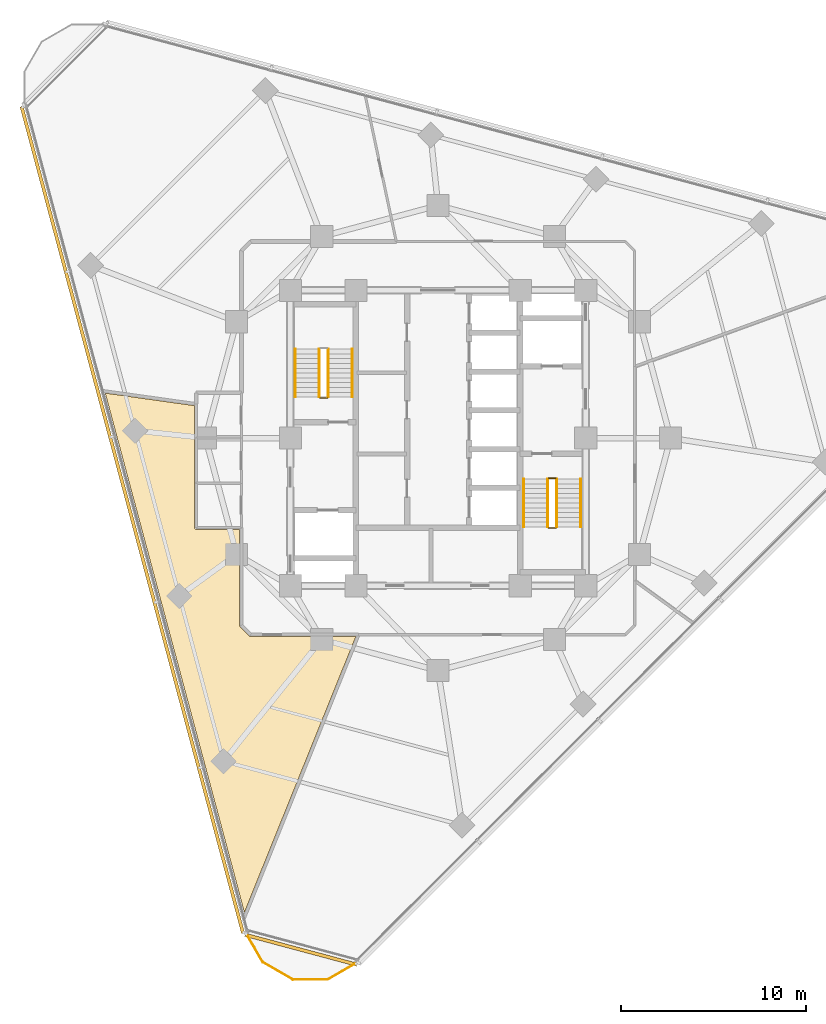
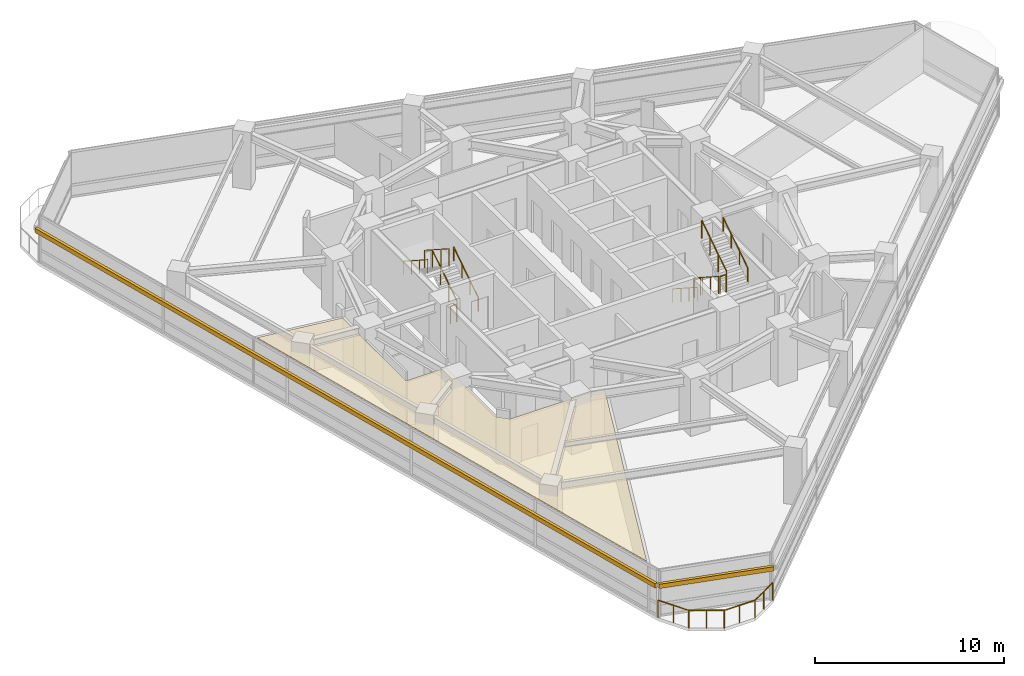
# One storey, part 11 of 13: 12 railings, 2 shading devices, 1 covering.
"""IFC4 building model written with IfcOpenShell, lengths in metres."""

from ifc_helpers import new_model, si_unit, direction, frame, origin, origin_2d, place, context, subcontext, project, spatial, polyline, rectangle, circle, outline, extrude, material, layer, layer_set, type_object, element, save


model = new_model("IFC4")

# Units and contexts
model_context = context("Model", 3, precision=1e-05, world=origin(), true_north=direction((0.0, 1.0)))
body_context = subcontext(model_context, "Body", "Model", "MODEL_VIEW")
ifc_project = project(units=[si_unit("LENGTHUNIT", "METRE"), si_unit("AREAUNIT", "SQUARE_METRE"), si_unit("VOLUMEUNIT", "CUBIC_METRE"), si_unit("PLANEANGLEUNIT", "RADIAN"), si_unit("MASSUNIT", "GRAM", prefix="KILO")], contexts=[model_context])

# Site, building, storey
site_placement = place(None, origin())
site = spatial("IfcSite", under=ifc_project, at=site_placement, CompositionType="ELEMENT")
building_placement = place(site_placement, origin())
building = spatial("IfcBuilding", under=site, at=building_placement, Name="Terralouvre Media Tower", CompositionType="ELEMENT")
storey_placement = place(building_placement, frame((0.0, 0.0, 195.300048828125)))
storey = spatial("IfcBuildingStorey", under=building, at=storey_placement, Name="L50", CompositionType="ELEMENT", Elevation=195.300048828125)

# Covering
ifc_material_1 = material(Name="Perforated aluminium acoustic ceiling baffle", Category="aluminium")
ifc_layer_1 = layer(ifc_material_1, 0.0400390625, Name="Perforated Acoustic Metal Tile Ceiling CL-AC1")
ifc_layer_set_1 = layer_set([ifc_layer_1], Name="Perforated aluminium acoustic ceiling baffle")
covering_type = type_object("IfcCoveringType", Name="Perforated Acoustic Metal Tile Ceiling CL-AC1", PredefinedType="CEILING", material=ifc_layer_set_1)
covering_placement = place(storey_placement, frame((0.0, 0.0, 2.97998046875), z_axis=(0.0, 0.0, 1.0), x_axis=(0.707106781187, 0.707106781187, 0.0)))
element("IfcCovering", 1, at=covering_placement, inside=storey, type_object=covering_type, Name="L50 Simultaneous Translation Control Room 1 Acoustic Ceiling", PredefinedType="CEILING", context=body_context, shape_type="SweptSolid", body=[
    extrude(outline(polyline([(-14.778564453125, -0.42431640625), (-14.78515625, -0.4169921875), (-14.791015625, -0.4091796875), (-14.7958984375, -0.400634765625), (-14.80029296875, -0.391845703125), (-14.803466796875, -0.382568359375), (-14.805908203125, -0.373046875), (-14.807373046875, -0.36328125), (-14.807861328125, -0.353515625), (-14.807861328125, 0.353515625), (-14.807373046875, 0.36328125), (-14.805908203125, 0.373046875), (-14.803466796875, 0.382568359375), (-14.80029296875, 0.391845703125), (-14.7958984375, 0.400634765625), (-14.791015625, 0.4091796875), (-14.78515625, 0.4169921875), (-14.778564453125, 0.42431640625), (-11.1015625, 4.101318359375), (-12.76318359375, 5.762939453125), (-12.769775390625, 5.770263671875), (-12.775634765625, 5.778076171875), (-12.78076171875, 5.786376953125), (-12.784912109375, 5.79541015625), (-12.788330078125, 5.8046875), (-12.79052734375, 5.814208984375), (-12.7919921875, 5.82373046875), (-12.79248046875, 5.833740234375), (-12.7919921875, 5.843505859375), (-12.79052734375, 5.85302734375), (-12.788330078125, 5.86279296875), (-12.784912109375, 5.871826171875), (-12.78076171875, 5.880859375), (-12.775634765625, 5.88916015625), (-12.769775390625, 5.89697265625), (-12.76318359375, 5.904296875), (-8.093505859375, 10.57421875), (-11.02685546875, 14.467529296875), (-25.58740234375, -10.752685546875), (-10.7490234375, -4.453857421875), (-14.778564453125, -0.42431640625)])), origin(), (0.0, 0.0, 1.0), 0.0400390625),
])

# Railings
ifc_material_2 = material(Name="Stainless steel 316 handrail and balustrade", Category="steel")
ifc_layer_2 = layer(ifc_material_2, 0.06005859375, Name="Roof Edge Safety Guardrail GR-ROOF1")
ifc_layer_set_2 = layer_set([ifc_layer_2], Name="Stainless steel 316 handrail and balustrade")
railing_type_1 = type_object("IfcRailingType", Name="Roof Edge Safety Guardrail GR-ROOF1", PredefinedType="GUARDRAIL", material=ifc_layer_set_2)
railing_1_placement = place(storey_placement, frame((-10.418701171875, -26.77685546875, 0.0)))
element("IfcRailing", 2, at=railing_1_placement, inside=storey, type_object=railing_type_1, Name="L50 Wind-Corner Perimeter Safety Guardrail C0", PredefinedType="GUARDRAIL", context=body_context, shape_type="SweptSolid", body=[
    extrude(circle(Radius=0.02099609375, at=origin_2d()), frame((0.0, 0.0, 1.12890625), z_axis=(0.499797667116, -0.866142189219, 0.0), x_axis=(0.866142189219, 0.499797667116, 0.0)), (0.0, 0.0, 1.0), 1.873291015625),
    extrude(circle(Radius=0.02099609375, at=origin_2d()), frame((0.936279296875, -1.62255859375, 1.12890625), z_axis=(0.86593156901, -0.500162491388, 0.0), x_axis=(0.500162491388, 0.86593156901, 0.0)), (0.0, 0.0, 1.0), 1.873046875),
    extrude(circle(Radius=0.02099609375, at=origin_2d()), frame((2.55810546875, -2.559326171875, 1.12890625), z_axis=(0.999999991505, 0.000130344107, 0.0), x_axis=(-0.000130344107, 0.999999991505, 0.0)), (0.0, 0.0, 1.0), 1.873046875),
    extrude(circle(Radius=0.02099609375, at=origin_2d()), frame((4.43115234375, -2.55908203125, 1.12890625), z_axis=(0.86590772507, 0.500203770141, 0.0), x_axis=(-0.500203770141, 0.86590772507, 0.0)), (0.0, 0.0, 1.0), 1.873291015625),
    extrude(circle(Radius=0.01904296875, at=origin_2d()), origin(), (0.0, 0.0, 1.0), 1.10791015625),
    extrude(circle(Radius=0.01904296875, at=origin_2d()), frame((0.46826171875, -0.811279296875, 0.0)), (0.0, 0.0, 1.0), 1.10791015625),
    extrude(circle(Radius=0.01904296875, at=origin_2d()), frame((0.936279296875, -1.62255859375, 0.0)), (0.0, 0.0, 1.0), 1.10791015625),
    extrude(circle(Radius=0.01904296875, at=origin_2d()), frame((1.7470703125, -2.0908203125, 0.0)), (0.0, 0.0, 1.0), 1.10791015625),
    extrude(circle(Radius=0.01904296875, at=origin_2d()), frame((2.55810546875, -2.559326171875, 0.0)), (0.0, 0.0, 1.0), 1.10791015625),
    extrude(circle(Radius=0.01904296875, at=origin_2d()), frame((3.49462890625, -2.55908203125, 0.0)), (0.0, 0.0, 1.0), 1.10791015625),
    extrude(circle(Radius=0.01904296875, at=origin_2d()), frame((4.43115234375, -2.55908203125, 0.0)), (0.0, 0.0, 1.0), 1.10791015625),
    extrude(circle(Radius=0.01904296875, at=origin_2d()), frame((5.2421875, -2.090576171875, 0.0)), (0.0, 0.0, 1.0), 1.10791015625),
    extrude(circle(Radius=0.01904296875, at=origin_2d()), frame((6.05322265625, -1.6220703125, 0.0)), (0.0, 0.0, 1.0), 1.10791015625),
])
ifc_material_3 = material(Name="Stainless steel 316 handrail and balustrade", Category="steel")
ifc_layer_3 = layer(ifc_material_3, 0.050048828125, Name="Stair Flight Wall Handrail HR-INT1")
ifc_layer_set_3 = layer_set([ifc_layer_3], Name="Stainless steel 316 handrail and balustrade")
railing_type_2 = type_object("IfcRailingType", Name="Stair Flight Wall Handrail HR-INT1", PredefinedType="HANDRAIL", material=ifc_layer_set_3)
railing_2_placement = place(storey_placement, frame((-4.64990234375, 2.219970703125, 0.168212890625)))
element("IfcRailing", 3, at=railing_2_placement, inside=storey, type_object=railing_type_2, Name="L50 ST-01 stair handrail 1", PredefinedType="HANDRAIL", context=body_context, shape_type="SweptSolid", body=[
    extrude(circle(Radius=0.02392578125, at=origin_2d()), frame((0.0, 0.0, 0.8759765625), z_axis=(0.0, 0.839684365666, 0.543074733399), x_axis=(-1.0, 0.0, 0.0)), (0.0, 0.0, 1.0), 3.096435546875),
    extrude(circle(Radius=0.02099609375, at=origin_2d()), origin(), (0.0, 0.0, 1.0), 0.851806640625),
    extrude(circle(Radius=0.02099609375, at=origin_2d()), frame((0.0, 0.86669921875, 0.560546875)), (0.0, 0.0, 1.0), 0.851806640625),
    extrude(circle(Radius=0.02099609375, at=origin_2d()), frame((0.0, 1.7333984375, 1.12109375)), (0.0, 0.0, 1.0), 0.851806640625),
    extrude(circle(Radius=0.02099609375, at=origin_2d()), frame((0.0, 2.60009765625, 1.681640625)), (0.0, 0.0, 1.0), 0.851806640625),
])
railing_3_placement = place(storey_placement, frame((-7.72998046875, 4.820068359375, 2.01806640625)))
element("IfcRailing", 4, at=railing_3_placement, inside=storey, type_object=railing_type_2, Name="L50 ST-01 stair handrail 2", PredefinedType="HANDRAIL", context=body_context, shape_type="SweptSolid", body=[
    extrude(circle(Radius=0.02392578125, at=origin_2d()), frame((0.0, 0.0, 0.8759765625), z_axis=(0.0, -0.839648411786, 0.543130320075), x_axis=(1.0, 0.0, 0.0)), (0.0, 0.0, 1.0), 3.0966796875),
    extrude(circle(Radius=0.02099609375, at=origin_2d()), origin(), (0.0, 0.0, 1.0), 0.851806640625),
    extrude(circle(Radius=0.02099609375, at=origin_2d()), frame((0.0, -0.86669921875, 0.560546875)), (0.0, 0.0, 1.0), 0.851806640625),
    extrude(circle(Radius=0.02099609375, at=origin_2d()), frame((0.0, -1.7333984375, 1.121337890625)), (0.0, 0.0, 1.0), 0.851806640625),
    extrude(circle(Radius=0.02099609375, at=origin_2d()), frame((0.0, -2.60009765625, 1.681884765625)), (0.0, 0.0, 1.0), 0.851806640625),
])
railing_4_placement = place(storey_placement, frame((4.64990234375, -2.219970703125, 0.168212890625)))
element("IfcRailing", 5, at=railing_4_placement, inside=storey, type_object=railing_type_2, Name="L50 ST-02 stair handrail 1", PredefinedType="HANDRAIL", context=body_context, shape_type="SweptSolid", body=[
    extrude(circle(Radius=0.02392578125, at=origin_2d()), frame((0.0, 0.0, 0.8759765625), z_axis=(0.0, -0.839684365666, 0.543074733399), x_axis=(1.0, 0.0, 0.0)), (0.0, 0.0, 1.0), 3.096435546875),
    extrude(circle(Radius=0.02099609375, at=origin_2d()), origin(), (0.0, 0.0, 1.0), 0.851806640625),
    extrude(circle(Radius=0.02099609375, at=origin_2d()), frame((0.0, -0.86669921875, 0.560546875)), (0.0, 0.0, 1.0), 0.851806640625),
    extrude(circle(Radius=0.02099609375, at=origin_2d()), frame((0.0, -1.7333984375, 1.12109375)), (0.0, 0.0, 1.0), 0.851806640625),
    extrude(circle(Radius=0.02099609375, at=origin_2d()), frame((0.0, -2.60009765625, 1.681640625)), (0.0, 0.0, 1.0), 0.851806640625),
])
railing_5_placement = place(storey_placement, frame((7.72998046875, -4.820068359375, 2.01806640625)))
element("IfcRailing", 6, at=railing_5_placement, inside=storey, type_object=railing_type_2, Name="L50 ST-02 stair handrail 2", PredefinedType="HANDRAIL", context=body_context, shape_type="SweptSolid", body=[
    extrude(circle(Radius=0.02392578125, at=origin_2d()), frame((0.0, 0.0, 0.8759765625), z_axis=(0.0, 0.839648411786, 0.543130320075), x_axis=(-1.0, 0.0, 0.0)), (0.0, 0.0, 1.0), 3.0966796875),
    extrude(circle(Radius=0.02099609375, at=origin_2d()), origin(), (0.0, 0.0, 1.0), 0.851806640625),
    extrude(circle(Radius=0.02099609375, at=origin_2d()), frame((0.0, 0.86669921875, 0.560546875)), (0.0, 0.0, 1.0), 0.851806640625),
    extrude(circle(Radius=0.02099609375, at=origin_2d()), frame((0.0, 1.7333984375, 1.121337890625)), (0.0, 0.0, 1.0), 0.851806640625),
    extrude(circle(Radius=0.02099609375, at=origin_2d()), frame((0.0, 2.60009765625, 1.681884765625)), (0.0, 0.0, 1.0), 0.851806640625),
])
ifc_material_4 = material(Name="Stainless steel 316 handrail and balustrade", Category="steel")
ifc_layer_4 = layer(ifc_material_4, 0.050048828125, Name="Stairwell Safety Guardrail GR-INT1")
ifc_layer_set_4 = layer_set([ifc_layer_4], Name="Stainless steel 316 handrail and balustrade")
railing_type_3 = type_object("IfcRailingType", Name="Stairwell Safety Guardrail GR-INT1", PredefinedType="GUARDRAIL", material=ifc_layer_set_4)
railing_6_placement = place(storey_placement, frame((-5.949951171875, 2.219970703125, 0.168212890625)))
element("IfcRailing", 7, at=railing_6_placement, inside=storey, type_object=railing_type_3, Name="L50 ST-01 stair guard 1", PredefinedType="GUARDRAIL", context=body_context, shape_type="SweptSolid", body=[
    extrude(circle(Radius=0.02392578125, at=origin_2d()), frame((0.0, 0.0, 1.1259765625), z_axis=(0.0, 0.839684365666, 0.543074733399), x_axis=(-1.0, 0.0, 0.0)), (0.0, 0.0, 1.0), 3.096435546875),
    extrude(circle(Radius=0.02099609375, at=origin_2d()), origin(), (0.0, 0.0, 1.0), 1.101806640625),
    extrude(circle(Radius=0.02099609375, at=origin_2d()), frame((0.0, 0.86669921875, 0.560546875)), (0.0, 0.0, 1.0), 1.101806640625),
    extrude(circle(Radius=0.02099609375, at=origin_2d()), frame((0.0, 1.7333984375, 1.12109375)), (0.0, 0.0, 1.0), 1.101806640625),
    extrude(circle(Radius=0.02099609375, at=origin_2d()), frame((0.0, 2.60009765625, 1.681640625)), (0.0, 0.0, 1.0), 1.101806640625),
])
railing_7_placement = place(storey_placement, frame((-6.429931640625, 4.820068359375, 2.01806640625)))
element("IfcRailing", 8, at=railing_7_placement, inside=storey, type_object=railing_type_3, Name="L50 ST-01 stair guard 3", PredefinedType="GUARDRAIL", context=body_context, shape_type="SweptSolid", body=[
    extrude(circle(Radius=0.02392578125, at=origin_2d()), frame((0.0, 0.0, 1.1259765625), z_axis=(0.0, -0.839648411786, 0.543130320075), x_axis=(1.0, 0.0, 0.0)), (0.0, 0.0, 1.0), 3.0966796875),
    extrude(circle(Radius=0.02099609375, at=origin_2d()), origin(), (0.0, 0.0, 1.0), 1.101806640625),
    extrude(circle(Radius=0.02099609375, at=origin_2d()), frame((0.0, -0.86669921875, 0.560546875)), (0.0, 0.0, 1.0), 1.101806640625),
    extrude(circle(Radius=0.02099609375, at=origin_2d()), frame((0.0, -1.7333984375, 1.121337890625)), (0.0, 0.0, 1.0), 1.101806640625),
    extrude(circle(Radius=0.02099609375, at=origin_2d()), frame((0.0, -2.60009765625, 1.681884765625)), (0.0, 0.0, 1.0), 1.101806640625),
])
railing_8_placement = place(storey_placement, frame((-6.0, 2.169921875, 0.0)))
element("IfcRailing", 9, at=railing_8_placement, inside=storey, type_object=railing_type_3, Name="L50 ST-01 stair guard 4", PredefinedType="GUARDRAIL", context=body_context, shape_type="SweptSolid", body=[
    extrude(circle(Radius=0.02392578125, at=origin_2d()), frame((0.0, 0.0, 1.1259765625), z_axis=(-1.0, 0.0, 0.0), x_axis=(0.0, -1.0, 0.0)), (0.0, 0.0, 1.0), 0.3798828125),
    extrude(circle(Radius=0.02099609375, at=origin_2d()), origin(), (0.0, 0.0, 1.0), 1.101806640625),
    extrude(circle(Radius=0.02099609375, at=origin_2d()), frame((-0.3798828125, 0.0, 0.0)), (0.0, 0.0, 1.0), 1.101806640625),
])
railing_9_placement = place(storey_placement, frame((5.949951171875, -2.219970703125, 0.168212890625)))
element("IfcRailing", 10, at=railing_9_placement, inside=storey, type_object=railing_type_3, Name="L50 ST-02 stair guard 1", PredefinedType="GUARDRAIL", context=body_context, shape_type="SweptSolid", body=[
    extrude(circle(Radius=0.02392578125, at=origin_2d()), frame((0.0, 0.0, 1.1259765625), z_axis=(0.0, -0.839684365666, 0.543074733399), x_axis=(1.0, 0.0, 0.0)), (0.0, 0.0, 1.0), 3.096435546875),
    extrude(circle(Radius=0.02099609375, at=origin_2d()), origin(), (0.0, 0.0, 1.0), 1.101806640625),
    extrude(circle(Radius=0.02099609375, at=origin_2d()), frame((0.0, -0.86669921875, 0.560546875)), (0.0, 0.0, 1.0), 1.101806640625),
    extrude(circle(Radius=0.02099609375, at=origin_2d()), frame((0.0, -1.7333984375, 1.12109375)), (0.0, 0.0, 1.0), 1.101806640625),
    extrude(circle(Radius=0.02099609375, at=origin_2d()), frame((0.0, -2.60009765625, 1.681640625)), (0.0, 0.0, 1.0), 1.101806640625),
])
railing_10_placement = place(storey_placement, frame((6.0, -4.8701171875, 1.849853515625)))
element("IfcRailing", 11, at=railing_10_placement, inside=storey, type_object=railing_type_3, Name="L50 ST-02 stair guard 2", PredefinedType="GUARDRAIL", context=body_context, shape_type="SweptSolid", body=[
    extrude(circle(Radius=0.02392578125, at=origin_2d()), frame((0.0, 0.0, 1.1259765625), z_axis=(1.0, 0.0, 0.0), x_axis=(0.0, 1.0, 0.0)), (0.0, 0.0, 1.0), 0.3798828125),
    extrude(circle(Radius=0.02099609375, at=origin_2d()), origin(), (0.0, 0.0, 1.0), 1.101806640625),
    extrude(circle(Radius=0.02099609375, at=origin_2d()), frame((0.3798828125, 0.0, 0.0)), (0.0, 0.0, 1.0), 1.101806640625),
])
railing_11_placement = place(storey_placement, frame((6.429931640625, -4.820068359375, 2.01806640625)))
element("IfcRailing", 12, at=railing_11_placement, inside=storey, type_object=railing_type_3, Name="L50 ST-02 stair guard 3", PredefinedType="GUARDRAIL", context=body_context, shape_type="SweptSolid", body=[
    extrude(circle(Radius=0.02392578125, at=origin_2d()), frame((0.0, 0.0, 1.1259765625), z_axis=(0.0, 0.839648411786, 0.543130320075), x_axis=(-1.0, 0.0, 0.0)), (0.0, 0.0, 1.0), 3.0966796875),
    extrude(circle(Radius=0.02099609375, at=origin_2d()), origin(), (0.0, 0.0, 1.0), 1.101806640625),
    extrude(circle(Radius=0.02099609375, at=origin_2d()), frame((0.0, 0.86669921875, 0.560546875)), (0.0, 0.0, 1.0), 1.101806640625),
    extrude(circle(Radius=0.02099609375, at=origin_2d()), frame((0.0, 1.7333984375, 1.121337890625)), (0.0, 0.0, 1.0), 1.101806640625),
    extrude(circle(Radius=0.02099609375, at=origin_2d()), frame((0.0, 2.60009765625, 1.681884765625)), (0.0, 0.0, 1.0), 1.101806640625),
])
railing_12_placement = place(storey_placement, frame((6.0, -2.169921875, 0.0)))
element("IfcRailing", 13, at=railing_12_placement, inside=storey, type_object=railing_type_3, Name="L50 ST-02 stair guard 4", PredefinedType="GUARDRAIL", context=body_context, shape_type="SweptSolid", body=[
    extrude(circle(Radius=0.02392578125, at=origin_2d()), frame((0.0, 0.0, 1.1259765625), z_axis=(1.0, 0.0, 0.0), x_axis=(0.0, 1.0, 0.0)), (0.0, 0.0, 1.0), 0.3798828125),
    extrude(circle(Radius=0.02099609375, at=origin_2d()), origin(), (0.0, 0.0, 1.0), 1.101806640625),
    extrude(circle(Radius=0.02099609375, at=origin_2d()), frame((0.3798828125, 0.0, 0.0)), (0.0, 0.0, 1.0), 1.101806640625),
])

# Shading devices
ifc_material_5 = material(Name="Extruded terracotta baguette sunshade louvres", Category="masonry")
shading_device_type = type_object("IfcShadingDeviceType", Name="Terracotta Baguette Sunshade Louvre Screen TB-LV1", PredefinedType="USERDEFINED", material=ifc_material_5)
shading_device_1_placement = place(storey_placement, frame((-16.558837890625, -4.43701171875, 2.02392578125), z_axis=(0.0, 0.0, 1.0), x_axis=(0.25881903342, -0.96592582942, 0.0)))
element("IfcShadingDevice", 14, at=shading_device_1_placement, inside=storey, type_object=shading_device_type, Name="CW-L50-F2 Terracotta Baguette Sunshade Louvre", ObjectType="BAGUETTE", PredefinedType="USERDEFINED", context=body_context, shape_type="SweptSolid", body=[
    extrude(rectangle(XDim=46.360107421875, YDim=0.179931640625, at=origin_2d()), origin(), (0.0, 0.0, 1.0), 0.280029296875),
])
shading_device_2_placement = place(storey_placement, frame((-7.427001953125, -27.71826171875, 2.02392578125), z_axis=(0.0, 0.0, 1.0), x_axis=(0.965925911218, -0.258818728144, 0.0)))
element("IfcShadingDevice", 15, at=shading_device_2_placement, inside=storey, type_object=shading_device_type, Name="CW-L50-C0 Terracotta Baguette Sunshade Louvre", ObjectType="BAGUETTE", PredefinedType="USERDEFINED", context=body_context, shape_type="SweptSolid", body=[
    extrude(rectangle(XDim=6.27001953125, YDim=0.179931640625, at=origin_2d()), origin(), (0.0, 0.0, 1.0), 0.280029296875),
])

save(model, "model.ifc")
